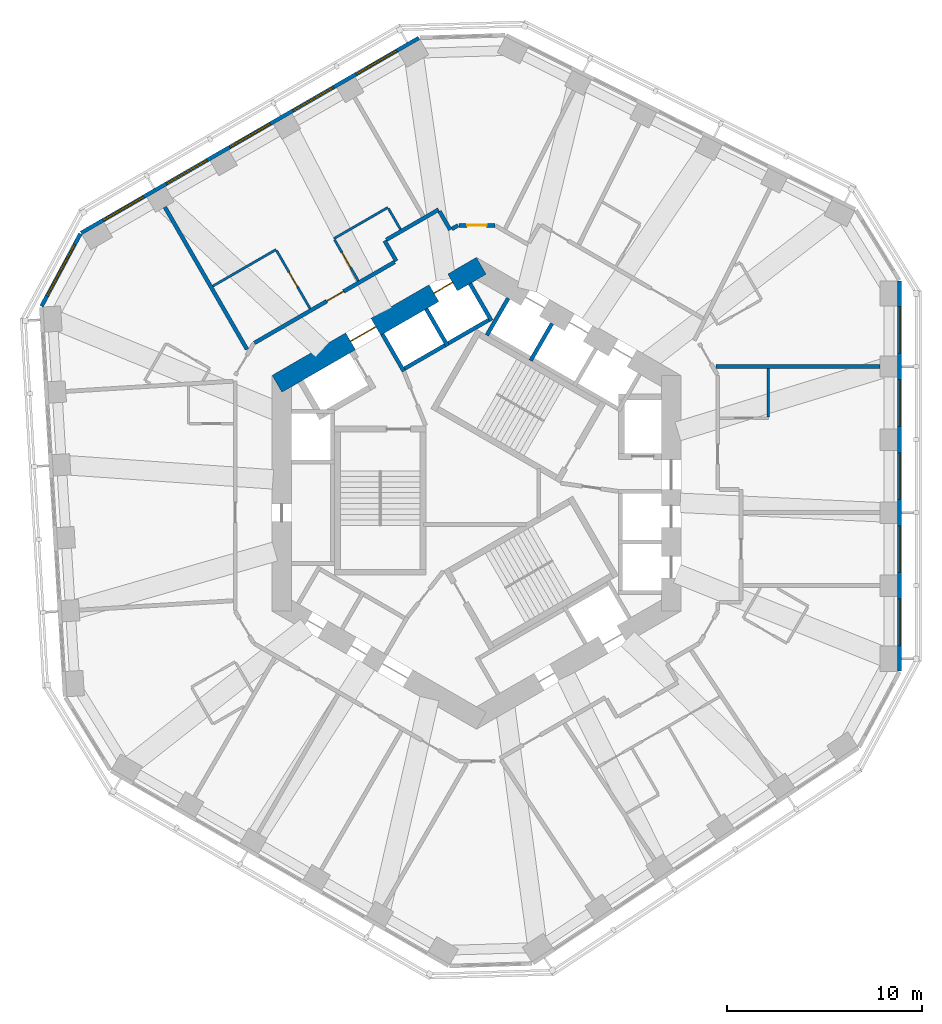
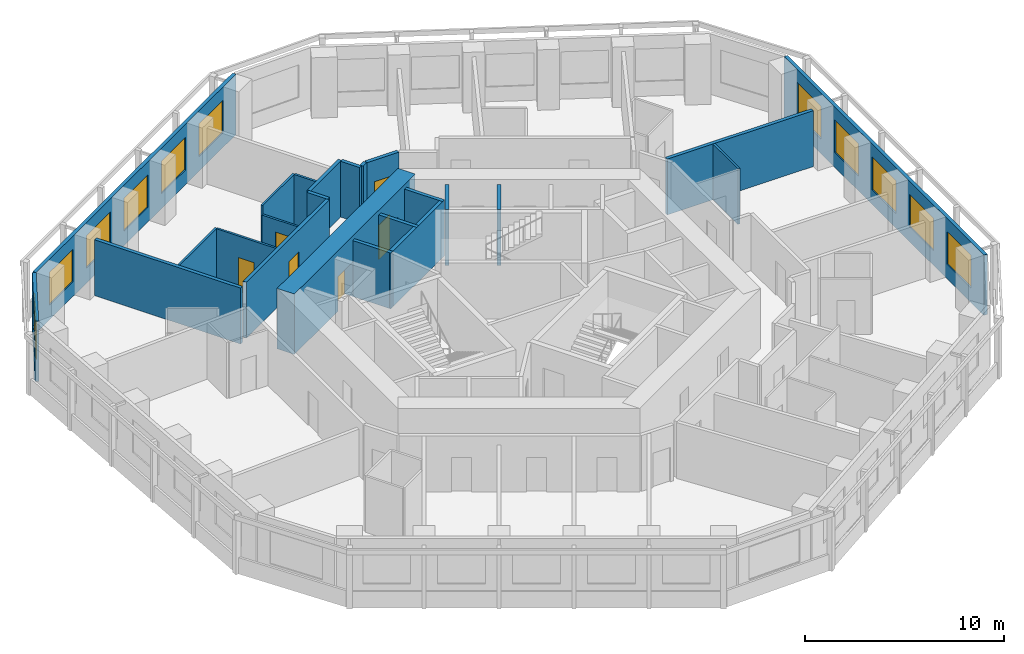
# One storey, part 7 of 11: 24 walls, 11 windows, 6 doors, 17 openings.
"""IFC4 building model written with IfcOpenShell, lengths in metres."""

import ifcopenshell
import ifcopenshell.guid

model = None  # the IFC model being written
_history = None  # IfcOwnerHistory: only IFC2X3 demands one
_inside = {}  # id of a spatial element -> (the spatial element, [elements in it])
_under = {}  # id of a project, library or spatial element -> (it, [spatial elements below it])
_declared = {}  # id of a project -> (the project, [libraries it declares])
_typed = {}  # id of a type object -> (the type object, [elements of that type])
_made_of = {}  # id of a material, layer set ... -> (it, [elements and type objects made of it])


def new_model(schema):
    """Start an empty IFC model of exactly this schema.

    Asked for "IFC4X3", IfcOpenShell would pick the latest addendum, in which some entities
    have other attributes; the version numbers below select the first issue.
    IFC2X3 requires an IfcOwnerHistory on every rooted entity: one is made here for all.
    """
    global model, _history
    if schema == "IFC4X3":
        model = ifcopenshell.file(schema_version=(4, 3, 0, 0))
    else:
        model = ifcopenshell.file(schema=schema)
    _inside.clear()
    _under.clear()
    _declared.clear()
    _typed.clear()
    _made_of.clear()
    _history = None
    if model.schema == "IFC2X3":
        org = make("IfcOrganization", Name="unknown")
        user = make(
            "IfcPersonAndOrganization",
            ThePerson=make("IfcPerson", FamilyName="unknown"),
            TheOrganization=org,
        )
        app = make(
            "IfcApplication",
            ApplicationDeveloper=org,
            Version="unknown",
            ApplicationFullName="unknown",
            ApplicationIdentifier="unknown",
        )
        _history = make(
            "IfcOwnerHistory",
            OwningUser=user,
            OwningApplication=app,
            ChangeAction="ADDED",
            CreationDate=0,
        )
    return model


def make(cls, **values):
    """One entity of the class cls with the attributes given. An attribute that is None is left unset."""
    return model.create_entity(
        cls, **{name: value for name, value in values.items() if value is not None}
    )


def rooted(cls, **values):
    """An entity with a GlobalId (a new one), such as an element, a storey or a relation."""
    return make(cls, GlobalId=ifcopenshell.guid.new(), OwnerHistory=_history, **values)


def si_unit(unit_type, name, prefix=None):
    """IfcSIUnit, for example si_unit("LENGTHUNIT", "METRE", prefix="MILLI")."""
    return make("IfcSIUnit", UnitType=unit_type, Prefix=prefix, Name=name)


def assignment(units):
    """IfcUnitAssignment: the units of a project."""
    return None if units is None else make("IfcUnitAssignment", Units=units)


def point(xyz):
    """IfcCartesianPoint."""
    return None if xyz is None else make("IfcCartesianPoint", Coordinates=xyz)


def direction(xyz):
    """IfcDirection."""
    return None if xyz is None else make("IfcDirection", DirectionRatios=xyz)


def frame(location, z_axis=None, x_axis=None):
    """IfcAxis2Placement3D, a coordinate frame: its origin and axes. An axis left out is left unset."""
    return make(
        "IfcAxis2Placement3D",
        Location=point(location),
        Axis=direction(z_axis),
        RefDirection=direction(x_axis),
    )


def frame_2d(location, x_axis=None):
    """IfcAxis2Placement2D, a coordinate frame in the plane: its origin and x axis."""
    return make(
        "IfcAxis2Placement2D", Location=point(location), RefDirection=direction(x_axis)
    )


def origin():
    """The frame at (0, 0, 0) with its axes left unset."""
    return frame((0.0, 0.0, 0.0))


def place(relative_to, where):
    """IfcLocalPlacement: puts the frame where relative to a parent placement (None: the world)."""
    return make(
        "IfcLocalPlacement", PlacementRelTo=relative_to, RelativePlacement=where
    )


def context(
    kind, dimensions, precision=None, world=None, true_north=None, identifier=None
):
    """IfcGeometricRepresentationContext, for example the 3D "Model" context."""
    return make(
        "IfcGeometricRepresentationContext",
        ContextIdentifier=identifier,
        ContextType=kind,
        CoordinateSpaceDimension=dimensions,
        Precision=precision,
        WorldCoordinateSystem=world,
        TrueNorth=true_north,
    )


def subcontext(parent, identifier, kind, view, scale=None):
    """IfcGeometricRepresentationSubContext, for example "Body" below "Model"."""
    return make(
        "IfcGeometricRepresentationSubContext",
        ContextIdentifier=identifier,
        ContextType=kind,
        ParentContext=parent,
        TargetScale=scale,
        TargetView=view,
    )


def project(units=None, contexts=None):
    """IfcProject with its units and contexts."""
    return rooted(
        "IfcProject",
        Name="project",
        RepresentationContexts=contexts,
        UnitsInContext=assignment(units),
    )


def spatial(cls, under=None, at=None, **own):
    """A site, building, storey or space (cls), placed at a placement, below another one or the project."""
    s = rooted(cls, ObjectPlacement=at, **own)
    if under is not None:
        _under.setdefault(under.id(), (under, []))[1].append(s)
    return s


def profile(cls, at=None, kind="AREA", **sizes):
    """A parametric profile (cls). Its sizes go by their IFC names, for example OverallWidth=200.0."""
    return make(cls, ProfileType=kind, Position=at, **sizes)


def rectangle(**sizes):
    """IfcRectangleProfileDef."""
    return profile("IfcRectangleProfileDef", **sizes)


def extrude(swept, where, along, depth):
    """IfcExtrudedAreaSolid: the profile swept, set in the frame where, extruded along a direction by depth."""
    return make(
        "IfcExtrudedAreaSolid",
        SweptArea=swept,
        Position=where,
        ExtrudedDirection=direction(along),
        Depth=depth,
    )


def shape(context_of_items, identifier, shape_type, items):
    """IfcShapeRepresentation: the items that make up one representation, for example the "Body"."""
    return make(
        "IfcShapeRepresentation",
        ContextOfItems=context_of_items,
        RepresentationIdentifier=identifier,
        RepresentationType=shape_type,
        Items=items,
    )


def material(Name=None, Category=None):
    """IfcMaterial."""
    return make("IfcMaterial", Name=Name, Category=Category)


def layer(
    of_material, thickness, ventilated=None, Name=None, Category=None, Priority=None
):
    """IfcMaterialLayer: one layer of a wall or slab, of a material (None: an air gap)."""
    return make(
        "IfcMaterialLayer",
        Material=of_material,
        LayerThickness=thickness,
        IsVentilated=ventilated,
        Name=Name,
        Category=Category,
        Priority=Priority,
    )


def layer_set(layers, Name=None):
    """IfcMaterialLayerSet."""
    return make("IfcMaterialLayerSet", MaterialLayers=layers, LayerSetName=Name)


def made_of(thing, what):
    """Note that an element or type object is made of a material, layer set ...; save() writes the relation."""
    if what is not None:
        _made_of.setdefault(what.id(), (what, []))[1].append(thing)
    return thing


def type_object(cls, material=None, **own):
    """A type object (cls), such as IfcWallType, which elements share."""
    return made_of(rooted(cls, **own), material)


def element(
    cls,
    number,
    at=None,
    inside=None,
    cuts=None,
    type_object=None,
    material=None,
    context=None,
    identifier="Body",
    shape_type=None,
    held_by="IfcProductDefinitionShape",
    body=None,
    shapes=None,
    **own,
):
    """One element of the class cls, such as IfcWall. Its Tag is "e" and its number.

    at: its placement. inside: the storey or other place that contains it. cuts: it is an
    opening in that element (IfcRelVoidsElement). A single representation is given by context,
    identifier, shape_type and body (its items); several are given by shapes. held_by: the class
    of the entity that holds the representations. save() writes the other relations.
    """
    e = rooted(cls, Tag="e%d" % number, ObjectPlacement=at, **own)
    if body is not None:
        shapes = [shape(context, identifier, shape_type, body)]
    if shapes is not None:
        e.Representation = make(held_by, Representations=shapes)
    if inside is not None:
        _inside.setdefault(inside.id(), (inside, []))[1].append(e)
    if cuts is not None:
        rooted(
            "IfcRelVoidsElement", RelatingBuildingElement=cuts, RelatedOpeningElement=e
        )
    if type_object is not None:
        _typed.setdefault(type_object.id(), (type_object, []))[1].append(e)
    return made_of(e, material)


def fill(opening, filler):
    """IfcRelFillsElement: the door or window that sits in an opening."""
    return rooted(
        "IfcRelFillsElement",
        RelatingOpeningElement=opening,
        RelatedBuildingElement=filler,
    )


def aggregate(whole, parts):
    """IfcRelAggregates: a whole, such as a stair, and the parts it consists of."""
    return rooted("IfcRelAggregates", RelatingObject=whole, RelatedObjects=parts)


def save(model, path):
    """Write the relations noted so far, then the file.

    IfcRelAggregates (storeys below a building ...), IfcRelContainedInSpatialStructure (elements
    in a storey), IfcRelDefinesByType, IfcRelAssociatesMaterial and IfcRelDeclares: one each for
    every whole, place, type object, material and project.
    """
    for whole, parts in _under.values():
        aggregate(whole, parts)
    for where, things in _inside.values():
        rooted(
            "IfcRelContainedInSpatialStructure",
            RelatedElements=things,
            RelatingStructure=where,
        )
    for kind, things in _typed.values():
        rooted("IfcRelDefinesByType", RelatedObjects=things, RelatingType=kind)
    for what, things in _made_of.values():
        rooted("IfcRelAssociatesMaterial", RelatedObjects=things, RelatingMaterial=what)
    for by, libraries in _declared.values():
        rooted("IfcRelDeclares", RelatingContext=by, RelatedDefinitions=libraries)
    model.write(path)


model = new_model("IFC4")

# Units and contexts
model_context = context("Model", 3, precision=1e-05, world=origin(), true_north=direction((0.0, 1.0)))
body_context = subcontext(model_context, "Body", "Model", "MODEL_VIEW")
ifc_project = project(units=[si_unit("LENGTHUNIT", "METRE"), si_unit("AREAUNIT", "SQUARE_METRE"), si_unit("VOLUMEUNIT", "CUBIC_METRE"), si_unit("PLANEANGLEUNIT", "RADIAN"), si_unit("MASSUNIT", "GRAM", prefix="KILO")], contexts=[model_context])

# Site, building, storey
site_placement = place(None, origin())
site = spatial("IfcSite", under=ifc_project, at=site_placement, CompositionType="ELEMENT")
building_placement = place(site_placement, origin())
building = spatial("IfcBuilding", under=site, at=building_placement, Name="Vanh Sen Convention Tower", CompositionType="ELEMENT")
storey_placement = place(building_placement, frame((0.0, 0.0, 128.10009765625)))
storey = spatial("IfcBuildingStorey", under=building, at=storey_placement, Name="L31", CompositionType="ELEMENT", Elevation=128.10009765625)

# Wall
ifc_material_1 = material(Name="Moisture-resistant gypsum board on steel studs", Category="steel")
ifc_layer_1 = layer(ifc_material_1, 0.1201171875)
ifc_layer_set_1 = layer_set([ifc_layer_1], Name="Moisture-resistant gypsum board on steel studs")
wall_type_1 = type_object("IfcWallType", Name="Bathroom partition 120", PredefinedType="PARTITIONING", material=ifc_layer_set_1)
wall_1_placement = place(storey_placement, frame((-13.555908203125, 10.648681640625, 0.0), z_axis=(0.0, 0.0, 1.0), x_axis=(0.866020939036, 0.500007733091, 0.0)))
element("IfcWall", 1, at=wall_1_placement, inside=storey, type_object=wall_type_1, Name="Bathroom partition 120", PredefinedType="PARTITIONING", context=body_context, shape_type="SweptSolid", body=[
    extrude(rectangle(XDim=3.75341796875, YDim=0.1201171875, at=frame_2d((1.876708984375, 0.0))), origin(), (0.0, 0.0, 1.0), 3.419921875),
])

# Wall, opening, door
wall_2_placement = place(storey_placement, frame((-10.275390625, 12.473388671875, 0.0), z_axis=(0.0, 0.0, 1.0), x_axis=(0.500009156386, -0.866020117278, 0.0)))
wall_2 = element("IfcWall", 2, at=wall_2_placement, inside=storey, type_object=wall_type_1, Name="Bathroom partition 120", PredefinedType="PARTITIONING", context=body_context, shape_type="SweptSolid", body=[
    extrude(rectangle(XDim=3.43994140625, YDim=0.1201171875, at=frame_2d((1.719970703125, 0.0))), origin(), (0.0, 0.0, 1.0), 3.419921875),
])
opening_1_placement = place(wall_2_placement, frame((1.27001953125, 0.0, 0.0)))
opening_1 = element("IfcOpeningElement", 3, at=opening_1_placement, cuts=wall_2, Name="Opening D30112", PredefinedType="OPENING", context=body_context, shape_type="SweptSolid", body=[
    extrude(rectangle(XDim=0.89990234375, YDim=2.10009765625, at=frame_2d((0.449951171875, 1.050048828125))), frame((0.0, 0.070068359375, 0.0), z_axis=(0.0, -1.0, 0.0), x_axis=(1.0, 0.0, 0.0)), (0.0, 0.0, 1.0), 0.14013671875),
])
ifc_material_2 = material(Name="Laminate door in steel frame", Category="steel")
door_type_1 = type_object("IfcDoorType", Name="Room internal door 900", OperationType="SINGLE_SWING_LEFT", PredefinedType="DOOR", material=ifc_material_2)
door_1_placement = place(opening_1_placement, origin())
door_1 = element("IfcDoor", 4, at=door_1_placement, inside=storey, type_object=door_type_1, Name="Internal room door D30112", OperationType="SINGLE_SWING_LEFT", OverallHeight=2.10009765625, OverallWidth=0.89990234375, PredefinedType="DOOR", context=body_context, shape_type="SweptSolid", body=[
    extrude(rectangle(XDim=0.89990234375, YDim=2.10009765625, at=frame_2d((0.449951171875, 1.050048828125))), frame((0.0, 0.02490234375, 0.0), z_axis=(0.0, -1.0, 0.0), x_axis=(1.0, 0.0, 0.0)), (0.0, 0.0, 1.0), 0.050048828125),
])
fill(opening_1, door_1)

# Wall
wall_3_placement = place(storey_placement, frame((-7.32763671875, 13.08984375, 0.0), z_axis=(0.0, 0.0, 1.0), x_axis=(0.866008981251, 0.500028443584, 0.0)))
element("IfcWall", 5, at=wall_3_placement, inside=storey, type_object=wall_type_1, Name="Bathroom partition 120", PredefinedType="PARTITIONING", context=body_context, shape_type="SweptSolid", body=[
    extrude(rectangle(XDim=3.199951171875, YDim=0.1201171875, at=frame_2d((1.60009765625, 0.0))), origin(), (0.0, 0.0, 1.0), 3.419921875),
])

# Wall, opening, door
wall_4_placement = place(storey_placement, frame((-6.07763671875, 10.9248046875, 0.0), z_axis=(0.0, 0.0, 1.0), x_axis=(-0.500002508028, 0.866023955769, 0.0)))
wall_4 = element("IfcWall", 6, at=wall_4_placement, inside=storey, type_object=wall_type_1, Name="Bathroom partition 120", PredefinedType="PARTITIONING", context=body_context, shape_type="SweptSolid", body=[
    extrude(rectangle(XDim=2.43994140625, YDim=0.1201171875, at=frame_2d((1.219970703125, 0.0))), origin(), (0.0, 0.0, 1.0), 2.869873046875),
])
opening_2_placement = place(wall_4_placement, frame((0.77001953125, 0.0, 0.0)))
opening_2 = element("IfcOpeningElement", 7, at=opening_2_placement, cuts=wall_4, Name="Opening D30111", PredefinedType="OPENING", context=body_context, shape_type="SweptSolid", body=[
    extrude(rectangle(XDim=0.89990234375, YDim=2.10009765625, at=frame_2d((0.449951171875, 1.050048828125))), frame((0.0, 0.070068359375, 0.0), z_axis=(0.0, -1.0, 0.0), x_axis=(1.0, 0.0, 0.0)), (0.0, 0.0, 1.0), 0.14013671875),
])
door_2_placement = place(opening_2_placement, origin())
door_2 = element("IfcDoor", 8, at=door_2_placement, inside=storey, type_object=door_type_1, Name="Internal room door D30111", OperationType="SINGLE_SWING_LEFT", OverallHeight=2.10009765625, OverallWidth=0.89990234375, PredefinedType="DOOR", context=body_context, shape_type="SweptSolid", body=[
    extrude(rectangle(XDim=0.89990234375, YDim=2.10009765625, at=frame_2d((0.449951171875, 1.050048828125))), frame((0.0, 0.02490234375, 0.0), z_axis=(0.0, -1.0, 0.0), x_axis=(1.0, 0.0, 0.0)), (0.0, 0.0, 1.0), 0.050048828125),
])
fill(opening_2, door_2)

# Walls
wall_5_placement = place(storey_placement, frame((-4.5263671875, 14.637939453125, 0.0), z_axis=(0.0, 0.0, 1.0), x_axis=(0.499932836684, -0.86606417707, 0.0)))
element("IfcWall", 9, at=wall_5_placement, inside=storey, type_object=wall_type_1, Name="Bathroom partition 120", PredefinedType="PARTITIONING", context=body_context, shape_type="SweptSolid", body=[
    extrude(rectangle(XDim=1.239013671875, YDim=0.1201171875, at=frame_2d((0.61962890625, 0.0))), origin(), (0.0, 0.0, 1.0), 3.419921875),
])
wall_6_placement = place(storey_placement, frame((15.0, 6.415283203125, 0.0), z_axis=(0.0, 0.0, 1.0), x_axis=(0.0, -1.0, 0.0)))
element("IfcWall", 10, at=wall_6_placement, inside=storey, type_object=wall_type_1, Name="Bathroom partition 120", PredefinedType="PARTITIONING", context=body_context, shape_type="SweptSolid", body=[
    extrude(rectangle(XDim=2.4931640625, YDim=0.1201171875, at=frame_2d((1.24658203125, 0.0))), origin(), (0.0, 0.0, 1.0), 3.419921875),
])

# Wall, openings, doors
ifc_material_3 = material(Name="Concrete C80/95", Category="concrete")
ifc_layer_2 = layer(ifc_material_3, 1.0)
ifc_layer_set_2 = layer_set([ifc_layer_2], Name="Concrete C80/95")
wall_type_2 = type_object("IfcWallType", Name="Core outer wall 1000 C80/95", PredefinedType="SHEAR", material=ifc_layer_set_2)
wall_7_placement = place(storey_placement, frame((0.25, 11.69140625, 0.0), z_axis=(0.0, 0.0, 1.0), x_axis=(-0.866022616891, -0.50000482701, 0.0)))
wall_7 = element("IfcWall", 11, at=wall_7_placement, inside=storey, type_object=wall_type_2, Name="Core wall face NW L31", PredefinedType="SHEAR", context=body_context, shape_type="SweptSolid", body=[
    extrude(rectangle(XDim=12.12451171875, YDim=1.0, at=frame_2d((6.062255859375, 0.0))), origin(), (0.0, 0.0, 1.0), 3.699951171875),
])
opening_3_placement = place(wall_7_placement, frame((6.26220703125, 0.0, 0.0)))
opening_3 = element("IfcOpeningElement", 12, at=opening_3_placement, cuts=wall_7, Name="Opening D30002", PredefinedType="OPENING", context=body_context, shape_type="SweptSolid", body=[
    extrude(rectangle(XDim=1.5, YDim=2.10009765625, at=frame_2d((0.75, 1.050048828125))), frame((0.0, 0.510009765625, 0.0), z_axis=(0.0, -1.0, 0.0), x_axis=(1.0, 0.0, 0.0)), (0.0, 0.0, 1.0), 1.02001953125),
])
opening_4_placement = place(wall_7_placement, frame((1.712158203125, 0.0, 0.0)))
opening_4 = element("IfcOpeningElement", 13, at=opening_4_placement, cuts=wall_7, Name="Opening LD-LR6", PredefinedType="OPENING", context=body_context, shape_type="SweptSolid", body=[
    extrude(rectangle(XDim=1.10009765625, YDim=2.10009765625, at=frame_2d((0.550048828125, 1.050048828125))), frame((0.0, 0.510009765625, 0.0), z_axis=(0.0, -1.0, 0.0), x_axis=(1.0, 0.0, 0.0)), (0.0, 0.0, 1.0), 1.02001953125),
])
ifc_material_4 = material(Name="Stainless steel", Category="steel")
door_type_2 = type_object("IfcDoorType", Name="Lift landing door 1100", OperationType="DOUBLE_DOOR_SLIDING", PredefinedType="DOOR", material=ifc_material_4)
door_3_placement = place(opening_4_placement, origin())
door_3 = element("IfcDoor", 14, at=door_3_placement, inside=storey, type_object=door_type_2, Name="Lift LR6 landing door LD-LR6", OperationType="DOUBLE_DOOR_SLIDING", OverallHeight=2.10009765625, OverallWidth=1.10009765625, PredefinedType="DOOR", context=body_context, shape_type="SweptSolid", body=[
    extrude(rectangle(XDim=1.10009765625, YDim=2.10009765625, at=frame_2d((0.550048828125, 1.050048828125))), frame((0.0, 0.02490234375, 0.0), z_axis=(0.0, -1.0, 0.0), x_axis=(1.0, 0.0, 0.0)), (0.0, 0.0, 1.0), 0.050048828125),
])
fill(opening_4, door_3)
ifc_material_5 = material(Name="Steel S355", Category="steel")
door_type_3 = type_object("IfcDoorType", Name="Stair lobby door 1500", OperationType="DOUBLE_DOOR_SINGLE_SWING", PredefinedType="DOOR", material=ifc_material_5)
door_4_placement = place(opening_3_placement, origin())
door_4 = element("IfcDoor", 15, at=door_4_placement, inside=storey, type_object=door_type_3, Name="Stair lobby door D30002", OperationType="DOUBLE_DOOR_SINGLE_SWING", OverallHeight=2.10009765625, OverallWidth=1.5, PredefinedType="DOOR", context=body_context, shape_type="SweptSolid", body=[
    extrude(rectangle(XDim=1.5, YDim=2.10009765625, at=frame_2d((0.75, 1.050048828125))), frame((0.0, 0.02490234375, 0.0), z_axis=(0.0, -1.0, 0.0), x_axis=(1.0, 0.0, 0.0)), (0.0, 0.0, 1.0), 0.050048828125),
])
fill(opening_3, door_4)

# Wall
ifc_material_6 = material(Name="Gypsum board on steel studs with mineral wool", Category="steel")
ifc_layer_3 = layer(ifc_material_6, 0.199951171875)
ifc_layer_set_3 = layer_set([ifc_layer_3], Name="Gypsum board on steel studs with mineral wool")
wall_type_3 = type_object("IfcWallType", Name="Corridor partition wall 200", PredefinedType="PARTITIONING", material=ifc_layer_set_3)
wall_8_placement = place(storey_placement, frame((-4.722900390625, 12.978271484375, 0.0), z_axis=(0.0, 0.0, 1.0), x_axis=(0.500074377092, -0.865982457891, 0.0)))
element("IfcWall", 16, at=wall_8_placement, inside=storey, type_object=wall_type_3, Name="Corridor partition wall 200", PredefinedType="PARTITIONING", context=body_context, shape_type="SweptSolid", body=[
    extrude(rectangle(XDim=1.200927734375, YDim=0.199951171875, at=frame_2d((0.6005859375, 0.0))), origin(), (0.0, 0.0, 1.0), 3.419921875),
])

# Wall, opening, door
wall_9_placement = place(storey_placement, frame((-4.208984375, 11.88818359375, 0.0), z_axis=(0.0, 0.0, 1.0), x_axis=(-0.866020930448, -0.500007747966, 0.0)))
wall_9 = element("IfcWall", 17, at=wall_9_placement, inside=storey, type_object=wall_type_3, Name="Corridor partition wall 200", PredefinedType="PARTITIONING", context=body_context, shape_type="SweptSolid", body=[
    extrude(rectangle(XDim=8.321044921875, YDim=0.199951171875, at=frame_2d((4.16064453125, 0.0))), origin(), (0.0, 0.0, 1.0), 3.419921875),
])
opening_5_placement = place(wall_9_placement, frame((3.030517578125, 0.0, 0.0)))
opening_5 = element("IfcOpeningElement", 18, at=opening_5_placement, cuts=wall_9, Name="Opening D30110", PredefinedType="OPENING", context=body_context, shape_type="SweptSolid", body=[
    extrude(rectangle(XDim=1.0, YDim=2.10009765625, at=frame_2d((0.5, 1.050048828125))), frame((0.0, 0.10986328125, 0.0), z_axis=(0.0, -1.0, 0.0), x_axis=(1.0, 0.0, 0.0)), (0.0, 0.0, 1.0), 0.219970703125),
])
ifc_material_7 = material(Name="Glazed fire door in steel frame", Category="steel")
door_type_4 = type_object("IfcDoorType", Name="Tenant entrance door 1000", OperationType="SINGLE_SWING_LEFT", PredefinedType="DOOR", material=ifc_material_7)
door_5_placement = place(opening_5_placement, origin())
door_5 = element("IfcDoor", 19, at=door_5_placement, inside=storey, type_object=door_type_4, Name="Tenant suite entrance door D30110", OperationType="SINGLE_SWING_LEFT", OverallHeight=2.10009765625, OverallWidth=1.0, PredefinedType="DOOR", context=body_context, shape_type="SweptSolid", body=[
    extrude(rectangle(XDim=1.0, YDim=2.10009765625, at=frame_2d((0.5, 1.050048828125))), frame((0.0, 0.02490234375, 0.0), z_axis=(0.0, -1.0, 0.0), x_axis=(1.0, 0.0, 0.0)), (0.0, 0.0, 1.0), 0.050048828125),
])
fill(opening_5, door_5)

# Walls
wall_10_placement = place(storey_placement, frame((-1.949951171875, 14.579345703125, 0.0), z_axis=(0.0, 0.0, 1.0), x_axis=(-0.866011260204, -0.500024496599, 0.0)))
element("IfcWall", 20, at=wall_10_placement, inside=storey, type_object=wall_type_3, Name="Corridor partition wall 200", PredefinedType="PARTITIONING", context=body_context, shape_type="SweptSolid", body=[
    extrude(rectangle(XDim=3.101806640625, YDim=0.199951171875, at=frame_2d((1.55078125, 0.0))), origin(), (0.0, 0.0, 1.0), 3.419921875),
])
wall_11_placement = place(storey_placement, frame((-1.349365234375, 13.539306640625, 0.0), z_axis=(0.0, 0.0, 1.0), x_axis=(-0.500074377092, 0.865982457891, 0.0)))
element("IfcWall", 21, at=wall_11_placement, inside=storey, type_object=wall_type_3, Name="Corridor partition wall 200", PredefinedType="PARTITIONING", context=body_context, shape_type="SweptSolid", body=[
    extrude(rectangle(XDim=1.100830078125, YDim=0.199951171875, at=frame_2d((0.55029296875, 0.0))), origin(), (0.0, 0.0, 1.0), 3.419921875),
])
wall_12_placement = place(storey_placement, frame((-0.949951171875, 13.769775390625, 0.0), z_axis=(0.0, 0.0, 1.0), x_axis=(-0.865904111586, -0.500210025428, 0.0)))
element("IfcWall", 22, at=wall_12_placement, inside=storey, type_object=wall_type_3, Name="Corridor partition wall 200", PredefinedType="PARTITIONING", context=body_context, shape_type="SweptSolid", body=[
    extrude(rectangle(XDim=0.361083984375, YDim=0.199951171875, at=frame_2d((0.1806640625, 0.0))), origin(), (0.0, 0.0, 1.0), 3.419921875),
])

# Wall, opening, door
wall_13_placement = place(storey_placement, frame((0.949951171875, 13.769775390625, 0.0), z_axis=(0.0, 0.0, 1.0), x_axis=(-1.0, 0.0, 0.0)))
wall_13 = element("IfcWall", 23, at=wall_13_placement, inside=storey, type_object=wall_type_3, Name="Corridor partition wall 200", PredefinedType="PARTITIONING", context=body_context, shape_type="SweptSolid", body=[
    extrude(rectangle(XDim=1.85986328125, YDim=0.199951171875, at=frame_2d((0.929931640625, 0.0))), origin(), (0.0, 0.0, 1.0), 3.419921875),
])
opening_6_placement = place(wall_13_placement, frame((0.429931640625, 0.0, 0.0)))
opening_6 = element("IfcOpeningElement", 24, at=opening_6_placement, cuts=wall_13, Name="Opening D30109", PredefinedType="OPENING", context=body_context, shape_type="SweptSolid", body=[
    extrude(rectangle(XDim=1.0, YDim=2.10009765625, at=frame_2d((0.5, 1.050048828125))), frame((0.0, 0.10986328125, 0.0), z_axis=(0.0, -1.0, 0.0), x_axis=(1.0, 0.0, 0.0)), (0.0, 0.0, 1.0), 0.219970703125),
])
door_6_placement = place(opening_6_placement, origin())
door_6 = element("IfcDoor", 25, at=door_6_placement, inside=storey, type_object=door_type_4, Name="Tenant suite entrance door D30109", OperationType="SINGLE_SWING_LEFT", OverallHeight=2.10009765625, OverallWidth=1.0, PredefinedType="DOOR", context=body_context, shape_type="SweptSolid", body=[
    extrude(rectangle(XDim=1.0, YDim=2.10009765625, at=frame_2d((0.5, 1.050048828125))), frame((0.0, 0.02490234375, 0.0), z_axis=(0.0, -1.0, 0.0), x_axis=(1.0, 0.0, 0.0)), (0.0, 0.0, 1.0), 0.050048828125),
])
fill(opening_6, door_6)

# Wall, openings, windows
ifc_material_8 = material(Name="Insulated lightweight infill wall")
ifc_layer_4 = layer(ifc_material_8, 0.199951171875)
ifc_layer_set_4 = layer_set([ifc_layer_4], Name="Insulated lightweight infill wall")
wall_type_4 = type_object("IfcWallType", Name="External wall 200", PredefinedType="STANDARD", material=ifc_layer_set_4)
wall_14_placement = place(storey_placement, frame((21.75, -9.138427734375, 0.0), z_axis=(0.0, 0.0, 1.0), x_axis=(0.0, 1.0, 0.0)))
wall_14 = element("IfcWall", 26, at=wall_14_placement, inside=storey, type_object=wall_type_4, Name="External wall E L31", PredefinedType="STANDARD", context=body_context, shape_type="SweptSolid", body=[
    extrude(rectangle(XDim=20.043701171875, YDim=0.199951171875, at=frame_2d((10.02197265625, 0.0))), origin(), (0.0, 0.0, 1.0), 3.699951171875),
])
opening_7_placement = place(wall_14_placement, frame((1.314453125, 0.0, 0.89990234375)))
opening_7 = element("IfcOpeningElement", 27, at=opening_7_placement, cuts=wall_14, Name="Opening WO1-E1", PredefinedType="OPENING", context=body_context, shape_type="SweptSolid", body=[
    extrude(rectangle(XDim=2.39990234375, YDim=2.0, at=frame_2d((1.199951171875, 1.0))), frame((0.0, 0.10986328125, 0.0), z_axis=(0.0, -1.0, 0.0), x_axis=(1.0, 0.0, 0.0)), (0.0, 0.0, 1.0), 0.219970703125),
])
opening_8_placement = place(wall_14_placement, frame((5.068603515625, 0.0, 0.89990234375)))
opening_8 = element("IfcOpeningElement", 28, at=opening_8_placement, cuts=wall_14, Name="Opening WO1-E2", PredefinedType="OPENING", context=body_context, shape_type="SweptSolid", body=[
    extrude(rectangle(XDim=2.39990234375, YDim=2.0, at=frame_2d((1.199951171875, 1.0))), frame((0.0, 0.10986328125, 0.0), z_axis=(0.0, -1.0, 0.0), x_axis=(1.0, 0.0, 0.0)), (0.0, 0.0, 1.0), 0.219970703125),
])
opening_9_placement = place(wall_14_placement, frame((8.82275390625, 0.0, 0.89990234375)))
opening_9 = element("IfcOpeningElement", 29, at=opening_9_placement, cuts=wall_14, Name="Opening WO1-E3", PredefinedType="OPENING", context=body_context, shape_type="SweptSolid", body=[
    extrude(rectangle(XDim=2.39990234375, YDim=2.0, at=frame_2d((1.199951171875, 1.0))), frame((0.0, 0.10986328125, 0.0), z_axis=(0.0, -1.0, 0.0), x_axis=(1.0, 0.0, 0.0)), (0.0, 0.0, 1.0), 0.219970703125),
])
opening_10_placement = place(wall_14_placement, frame((12.576904296875, 0.0, 0.89990234375)))
opening_10 = element("IfcOpeningElement", 30, at=opening_10_placement, cuts=wall_14, Name="Opening WO1-E4", PredefinedType="OPENING", context=body_context, shape_type="SweptSolid", body=[
    extrude(rectangle(XDim=2.39990234375, YDim=2.0, at=frame_2d((1.199951171875, 1.0))), frame((0.0, 0.10986328125, 0.0), z_axis=(0.0, -1.0, 0.0), x_axis=(1.0, 0.0, 0.0)), (0.0, 0.0, 1.0), 0.219970703125),
])
opening_11_placement = place(wall_14_placement, frame((16.330810546875, 0.0, 0.89990234375)))
opening_11 = element("IfcOpeningElement", 31, at=opening_11_placement, cuts=wall_14, Name="Opening WO1-E5", PredefinedType="OPENING", context=body_context, shape_type="SweptSolid", body=[
    extrude(rectangle(XDim=2.39990234375, YDim=2.0, at=frame_2d((1.199951171875, 1.0))), frame((0.0, 0.10986328125, 0.0), z_axis=(0.0, -1.0, 0.0), x_axis=(1.0, 0.0, 0.0)), (0.0, 0.0, 1.0), 0.219970703125),
])
ifc_material_9 = material(Name="Aluminium frame with clear low-emissivity glass", Category="aluminium")
window_type_1 = type_object("IfcWindowType", Name="Office window 2400 x 2000", PartitioningType="SINGLE_PANEL", PredefinedType="WINDOW", material=ifc_material_9)
window_1_placement = place(opening_7_placement, origin())
window_1 = element("IfcWindow", 32, at=window_1_placement, inside=storey, type_object=window_type_1, Name="Window WO1-E1", OverallHeight=2.0, OverallWidth=2.39990234375, PartitioningType="SINGLE_PANEL", PredefinedType="WINDOW", context=body_context, shape_type="SweptSolid", body=[
    extrude(rectangle(XDim=2.39990234375, YDim=2.0, at=frame_2d((1.199951171875, 1.0))), frame((0.0, 0.030029296875, 0.0), z_axis=(0.0, -1.0, 0.0), x_axis=(1.0, 0.0, 0.0)), (0.0, 0.0, 1.0), 0.06005859375),
])
fill(opening_7, window_1)
window_2_placement = place(opening_8_placement, origin())
window_2 = element("IfcWindow", 33, at=window_2_placement, inside=storey, type_object=window_type_1, Name="Window WO1-E2", OverallHeight=2.0, OverallWidth=2.39990234375, PartitioningType="SINGLE_PANEL", PredefinedType="WINDOW", context=body_context, shape_type="SweptSolid", body=[
    extrude(rectangle(XDim=2.39990234375, YDim=2.0, at=frame_2d((1.199951171875, 1.0))), frame((0.0, 0.030029296875, 0.0), z_axis=(0.0, -1.0, 0.0), x_axis=(1.0, 0.0, 0.0)), (0.0, 0.0, 1.0), 0.06005859375),
])
fill(opening_8, window_2)
window_3_placement = place(opening_9_placement, origin())
window_3 = element("IfcWindow", 34, at=window_3_placement, inside=storey, type_object=window_type_1, Name="Window WO1-E3", OverallHeight=2.0, OverallWidth=2.39990234375, PartitioningType="SINGLE_PANEL", PredefinedType="WINDOW", context=body_context, shape_type="SweptSolid", body=[
    extrude(rectangle(XDim=2.39990234375, YDim=2.0, at=frame_2d((1.199951171875, 1.0))), frame((0.0, 0.030029296875, 0.0), z_axis=(0.0, -1.0, 0.0), x_axis=(1.0, 0.0, 0.0)), (0.0, 0.0, 1.0), 0.06005859375),
])
fill(opening_9, window_3)
window_4_placement = place(opening_10_placement, origin())
window_4 = element("IfcWindow", 35, at=window_4_placement, inside=storey, type_object=window_type_1, Name="Window WO1-E4", OverallHeight=2.0, OverallWidth=2.39990234375, PartitioningType="SINGLE_PANEL", PredefinedType="WINDOW", context=body_context, shape_type="SweptSolid", body=[
    extrude(rectangle(XDim=2.39990234375, YDim=2.0, at=frame_2d((1.199951171875, 1.0))), frame((0.0, 0.030029296875, 0.0), z_axis=(0.0, -1.0, 0.0), x_axis=(1.0, 0.0, 0.0)), (0.0, 0.0, 1.0), 0.06005859375),
])
fill(opening_10, window_4)
window_5_placement = place(opening_11_placement, origin())
window_5 = element("IfcWindow", 36, at=window_5_placement, inside=storey, type_object=window_type_1, Name="Window WO1-E5", OverallHeight=2.0, OverallWidth=2.39990234375, PartitioningType="SINGLE_PANEL", PredefinedType="WINDOW", context=body_context, shape_type="SweptSolid", body=[
    extrude(rectangle(XDim=2.39990234375, YDim=2.0, at=frame_2d((1.199951171875, 1.0))), frame((0.0, 0.030029296875, 0.0), z_axis=(0.0, -1.0, 0.0), x_axis=(1.0, 0.0, 0.0)), (0.0, 0.0, 1.0), 0.06005859375),
])
fill(opening_11, window_5)

wall_15_placement = place(storey_placement, frame((-2.9609375, 23.4052734375, 0.0), z_axis=(0.0, 0.0, 1.0), x_axis=(-0.866023315909, -0.500003616288, 0.0)))
wall_15 = element("IfcWall", 37, at=wall_15_placement, inside=storey, type_object=wall_type_4, Name="External wall NW L31", PredefinedType="STANDARD", context=body_context, shape_type="SweptSolid", body=[
    extrude(rectangle(XDim=20.043701171875, YDim=0.199951171875, at=frame_2d((10.02197265625, 0.0))), origin(), (0.0, 0.0, 1.0), 3.699951171875),
])
opening_12_placement = place(wall_15_placement, frame((1.314453125, 0.0, 0.89990234375)))
opening_12 = element("IfcOpeningElement", 38, at=opening_12_placement, cuts=wall_15, Name="Opening WO1-NW1", PredefinedType="OPENING", context=body_context, shape_type="SweptSolid", body=[
    extrude(rectangle(XDim=2.39990234375, YDim=2.0, at=frame_2d((1.199951171875, 1.0))), frame((0.0, 0.10986328125, 0.0), z_axis=(0.0, -1.0, 0.0), x_axis=(1.0, 0.0, 0.0)), (0.0, 0.0, 1.0), 0.219970703125),
])
opening_13_placement = place(wall_15_placement, frame((5.068603515625, 0.0, 0.89990234375)))
opening_13 = element("IfcOpeningElement", 39, at=opening_13_placement, cuts=wall_15, Name="Opening WO1-NW2", PredefinedType="OPENING", context=body_context, shape_type="SweptSolid", body=[
    extrude(rectangle(XDim=2.39990234375, YDim=2.0, at=frame_2d((1.199951171875, 1.0))), frame((0.0, 0.10986328125, 0.0), z_axis=(0.0, -1.0, 0.0), x_axis=(1.0, 0.0, 0.0)), (0.0, 0.0, 1.0), 0.219970703125),
])
opening_14_placement = place(wall_15_placement, frame((8.82275390625, 0.0, 0.89990234375)))
opening_14 = element("IfcOpeningElement", 40, at=opening_14_placement, cuts=wall_15, Name="Opening WO1-NW3", PredefinedType="OPENING", context=body_context, shape_type="SweptSolid", body=[
    extrude(rectangle(XDim=2.39990234375, YDim=2.0, at=frame_2d((1.199951171875, 1.0))), frame((0.0, 0.10986328125, 0.0), z_axis=(0.0, -1.0, 0.0), x_axis=(1.0, 0.0, 0.0)), (0.0, 0.0, 1.0), 0.219970703125),
])
opening_15_placement = place(wall_15_placement, frame((12.576904296875, 0.0, 0.89990234375)))
opening_15 = element("IfcOpeningElement", 41, at=opening_15_placement, cuts=wall_15, Name="Opening WO1-NW4", PredefinedType="OPENING", context=body_context, shape_type="SweptSolid", body=[
    extrude(rectangle(XDim=2.39990234375, YDim=2.0, at=frame_2d((1.199951171875, 1.0))), frame((0.0, 0.10986328125, 0.0), z_axis=(0.0, -1.0, 0.0), x_axis=(1.0, 0.0, 0.0)), (0.0, 0.0, 1.0), 0.219970703125),
])
opening_16_placement = place(wall_15_placement, frame((16.330810546875, 0.0, 0.89990234375)))
opening_16 = element("IfcOpeningElement", 42, at=opening_16_placement, cuts=wall_15, Name="Opening WO1-NW5", PredefinedType="OPENING", context=body_context, shape_type="SweptSolid", body=[
    extrude(rectangle(XDim=2.39990234375, YDim=2.0, at=frame_2d((1.199951171875, 1.0))), frame((0.0, 0.10986328125, 0.0), z_axis=(0.0, -1.0, 0.0), x_axis=(1.0, 0.0, 0.0)), (0.0, 0.0, 1.0), 0.219970703125),
])
window_6_placement = place(opening_12_placement, origin())
window_6 = element("IfcWindow", 43, at=window_6_placement, inside=storey, type_object=window_type_1, Name="Window WO1-NW1", OverallHeight=2.0, OverallWidth=2.39990234375, PartitioningType="SINGLE_PANEL", PredefinedType="WINDOW", context=body_context, shape_type="SweptSolid", body=[
    extrude(rectangle(XDim=2.39990234375, YDim=2.0, at=frame_2d((1.199951171875, 1.0))), frame((0.0, 0.030029296875, 0.0), z_axis=(0.0, -1.0, 0.0), x_axis=(1.0, 0.0, 0.0)), (0.0, 0.0, 1.0), 0.06005859375),
])
fill(opening_12, window_6)
window_7_placement = place(opening_13_placement, origin())
window_7 = element("IfcWindow", 44, at=window_7_placement, inside=storey, type_object=window_type_1, Name="Window WO1-NW2", OverallHeight=2.0, OverallWidth=2.39990234375, PartitioningType="SINGLE_PANEL", PredefinedType="WINDOW", context=body_context, shape_type="SweptSolid", body=[
    extrude(rectangle(XDim=2.39990234375, YDim=2.0, at=frame_2d((1.199951171875, 1.0))), frame((0.0, 0.030029296875, 0.0), z_axis=(0.0, -1.0, 0.0), x_axis=(1.0, 0.0, 0.0)), (0.0, 0.0, 1.0), 0.06005859375),
])
fill(opening_13, window_7)
window_8_placement = place(opening_14_placement, origin())
window_8 = element("IfcWindow", 45, at=window_8_placement, inside=storey, type_object=window_type_1, Name="Window WO1-NW3", OverallHeight=2.0, OverallWidth=2.39990234375, PartitioningType="SINGLE_PANEL", PredefinedType="WINDOW", context=body_context, shape_type="SweptSolid", body=[
    extrude(rectangle(XDim=2.39990234375, YDim=2.0, at=frame_2d((1.199951171875, 1.0))), frame((0.0, 0.030029296875, 0.0), z_axis=(0.0, -1.0, 0.0), x_axis=(1.0, 0.0, 0.0)), (0.0, 0.0, 1.0), 0.06005859375),
])
fill(opening_14, window_8)
window_9_placement = place(opening_15_placement, origin())
window_9 = element("IfcWindow", 46, at=window_9_placement, inside=storey, type_object=window_type_1, Name="Window WO1-NW4", OverallHeight=2.0, OverallWidth=2.39990234375, PartitioningType="SINGLE_PANEL", PredefinedType="WINDOW", context=body_context, shape_type="SweptSolid", body=[
    extrude(rectangle(XDim=2.39990234375, YDim=2.0, at=frame_2d((1.199951171875, 1.0))), frame((0.0, 0.030029296875, 0.0), z_axis=(0.0, -1.0, 0.0), x_axis=(1.0, 0.0, 0.0)), (0.0, 0.0, 1.0), 0.06005859375),
])
fill(opening_15, window_9)
window_10_placement = place(opening_16_placement, origin())
window_10 = element("IfcWindow", 47, at=window_10_placement, inside=storey, type_object=window_type_1, Name="Window WO1-NW5", OverallHeight=2.0, OverallWidth=2.39990234375, PartitioningType="SINGLE_PANEL", PredefinedType="WINDOW", context=body_context, shape_type="SweptSolid", body=[
    extrude(rectangle(XDim=2.39990234375, YDim=2.0, at=frame_2d((1.199951171875, 1.0))), frame((0.0, 0.030029296875, 0.0), z_axis=(0.0, -1.0, 0.0), x_axis=(1.0, 0.0, 0.0)), (0.0, 0.0, 1.0), 0.06005859375),
])
fill(opening_16, window_10)

# Wall, opening, window
wall_16_placement = place(storey_placement, frame((-20.357421875, 13.343994140625, 0.0), z_axis=(0.0, 0.0, 1.0), x_axis=(-0.473288913494, -0.880907262068, 0.0)))
wall_16 = element("IfcWall", 48, at=wall_16_placement, inside=storey, type_object=wall_type_4, Name="External wall CH3 L31", PredefinedType="STANDARD", context=body_context, shape_type="SweptSolid", body=[
    extrude(rectangle(XDim=4.238037109375, YDim=0.199951171875, at=frame_2d((2.119140625, 0.0))), origin(), (0.0, 0.0, 1.0), 3.699951171875),
])
opening_17_placement = place(wall_16_placement, frame((0.619140625, 0.0, 0.89990234375)))
opening_17 = element("IfcOpeningElement", 49, at=opening_17_placement, cuts=wall_16, Name="Opening WO2-CH31", PredefinedType="OPENING", context=body_context, shape_type="SweptSolid", body=[
    extrude(rectangle(XDim=3.0, YDim=2.0, at=frame_2d((1.5, 1.0))), frame((0.0, 0.10986328125, 0.0), z_axis=(0.0, -1.0, 0.0), x_axis=(1.0, 0.0, 0.0)), (0.0, 0.0, 1.0), 0.219970703125),
])
window_type_2 = type_object("IfcWindowType", Name="Office window 3000 x 2000", PartitioningType="SINGLE_PANEL", PredefinedType="WINDOW", material=ifc_material_9)
window_11_placement = place(opening_17_placement, origin())
window_11 = element("IfcWindow", 50, at=window_11_placement, inside=storey, type_object=window_type_2, Name="Window WO2-CH31", OverallHeight=2.0, OverallWidth=3.0, PartitioningType="SINGLE_PANEL", PredefinedType="WINDOW", context=body_context, shape_type="SweptSolid", body=[
    extrude(rectangle(XDim=3.0, YDim=2.0, at=frame_2d((1.5, 1.0))), frame((0.0, 0.030029296875, 0.0), z_axis=(0.0, -1.0, 0.0), x_axis=(1.0, 0.0, 0.0)), (0.0, 0.0, 1.0), 0.06005859375),
])
fill(opening_17, window_11)

# Walls
ifc_material_10 = material(Name="Concrete C40/50", Category="concrete")
ifc_layer_5 = layer(ifc_material_10, 0.199951171875)
ifc_layer_set_5 = layer_set([ifc_layer_5], Name="Concrete C40/50")
wall_type_5 = type_object("IfcWallType", Name="Lift shaft wall 200", PredefinedType="PARTITIONING", material=ifc_layer_set_5)
for number, where, z_axis, x_axis, name in (
    (51, (2.783935546875, 6.822021484375, 0.0), (0.0, 0.0, 1.0), (0.50002983664, 0.866008176907, 0.0), "Lift shaft wall L31"),
    (52, (0.5322265625, 8.1220703125, 0.0), (0.0, 0.0, 1.0), (0.500077893725, 0.86598042715, 0.0), "Lift shaft wall L31"),
):
    element("IfcWall", number, at=place(storey_placement, frame(where, z_axis=z_axis, x_axis=x_axis)), inside=storey, type_object=wall_type_5, Name=name, PredefinedType="PARTITIONING", context=body_context, shape_type="SweptSolid", body=[
        extrude(rectangle(XDim=2.199951171875, YDim=0.199951171875, at=frame_2d((1.10009765625, 0.0))), origin(), (0.0, 0.0, 1.0), 3.419921875),
    ])
wall_17_placement = place(storey_placement, frame((0.80322265625, 9.008544921875, 0.0), z_axis=(0.0, 0.0, 1.0), x_axis=(-0.866028230842, -0.499995103361, 0.0)))
element("IfcWall", 53, at=wall_17_placement, inside=storey, type_object=wall_type_5, Name="Lift shaft wall L31", PredefinedType="PARTITIONING", context=body_context, shape_type="SweptSolid", body=[
    extrude(rectangle(XDim=5.39990234375, YDim=0.199951171875, at=frame_2d((2.699951171875, 0.0))), origin(), (0.0, 0.0, 1.0), 3.419921875),
])
wall_18_placement = place(storey_placement, frame((0.7666015625, 8.8720703125, 0.0), z_axis=(0.0, 0.0, 1.0), x_axis=(-0.499994660107, 0.866028486751, 0.0)))
element("IfcWall", 54, at=wall_18_placement, inside=storey, type_object=wall_type_5, Name="Lift shaft wall L31", PredefinedType="PARTITIONING", context=body_context, shape_type="SweptSolid", body=[
    extrude(rectangle(XDim=2.19970703125, YDim=0.199951171875, at=frame_2d((1.099853515625, 0.0))), origin(), (0.0, 0.0, 1.0), 3.419921875),
])
for number, where, z_axis, x_axis, name in (
    (55, (-1.48486328125, 7.572021484375, 0.0), (0.0, 0.0, 1.0), (-0.50002983664, 0.866008176907, 0.0), "Lift shaft wall L31"),
    (56, (-3.736572265625, 6.27197265625, 0.0), (0.0, 0.0, 1.0), (-0.50002983664, 0.866008176907, 0.0), "Lift shaft wall L31"),
):
    element("IfcWall", number, at=place(storey_placement, frame(where, z_axis=z_axis, x_axis=x_axis)), inside=storey, type_object=wall_type_5, Name=name, PredefinedType="PARTITIONING", context=body_context, shape_type="SweptSolid", body=[
        extrude(rectangle(XDim=2.199951171875, YDim=0.199951171875, at=frame_2d((1.10009765625, 0.0))), origin(), (0.0, 0.0, 1.0), 3.419921875),
    ])
ifc_layer_6 = layer(ifc_material_6, 0.199951171875)
ifc_layer_set_6 = layer_set([ifc_layer_6], Name="Gypsum board on steel studs with mineral wool")
wall_type_6 = type_object("IfcWallType", Name="Tenant suite wall 200", PredefinedType="PARTITIONING", material=ifc_layer_set_6)
for number, where, z_axis, x_axis, name in (
    (57, (-16.017578125, 14.71240234375, 0.0), (0.0, 0.0, 1.0), (0.500000843414, -0.866024916838, 0.0), "Tenant suite wall 200"),
    (58, (20.75, 6.515380859375, 0.0), (0.0, 0.0, 1.0), (-1.0, 0.0, 0.0), "Tenant suite wall 200"),
):
    element("IfcWall", number, at=place(storey_placement, frame(where, z_axis=z_axis, x_axis=x_axis)), inside=storey, type_object=wall_type_6, Name=name, PredefinedType="PARTITIONING", context=body_context, shape_type="SweptSolid", body=[
        extrude(rectangle(XDim=8.45166015625, YDim=0.199951171875, at=frame_2d((4.225830078125, 0.0))), origin(), (0.0, 0.0, 1.0), 3.419921875),
    ])

save(model, "model.ifc")
